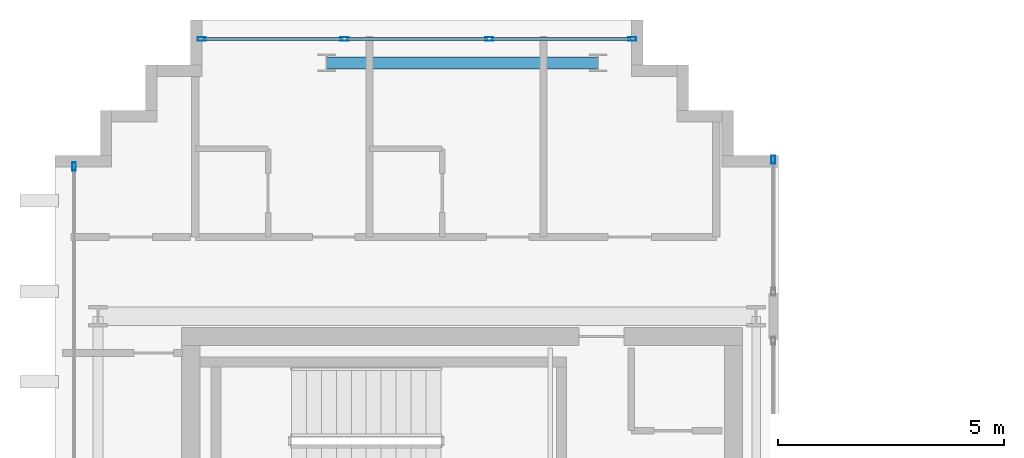
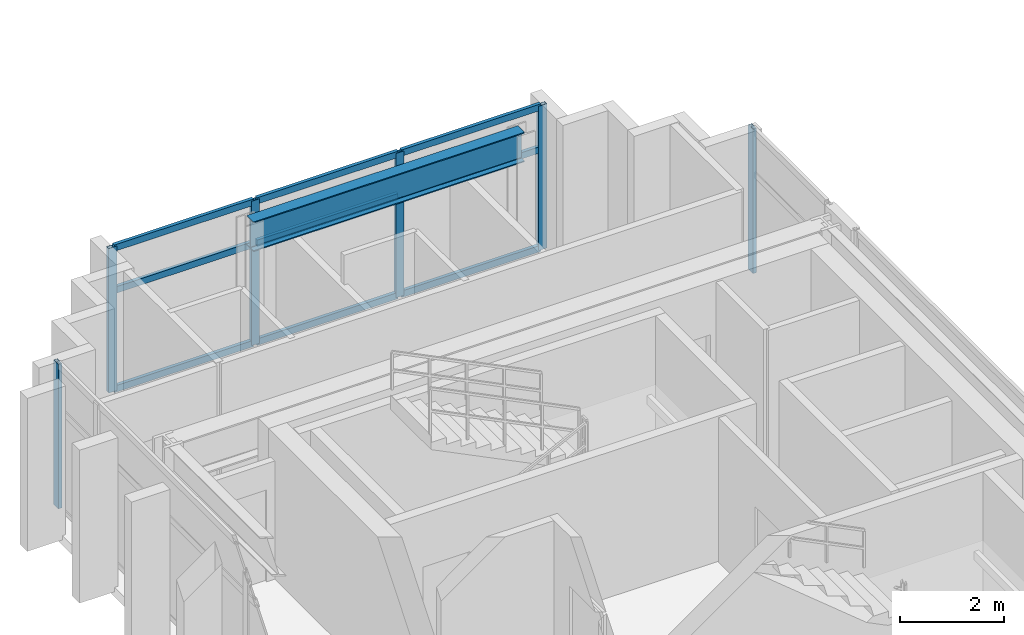
# One storey, part 16 of 25: 15 members, 1 beam, 3 elements without a shape of their own.
"""IFC4 building model written with IfcOpenShell, lengths in metres."""

from ifc_helpers import new_model, si_unit, direction, frame, origin, origin_2d, place, context, subcontext, project, spatial, hollow_rectangle, i_section, extrude, source, transform, mapped, material, layer, layer_set, material_profile, profile_set, type_object, element, aggregate, save


model = new_model("IFC4")

# Units and contexts
model_context = context("Model", 3, precision=1e-05, world=origin(), true_north=direction((0.0, 1.0)))
body_context = subcontext(model_context, "Body", "Model", "MODEL_VIEW")
ifc_project = project(units=[si_unit("LENGTHUNIT", "METRE"), si_unit("AREAUNIT", "SQUARE_METRE"), si_unit("VOLUMEUNIT", "CUBIC_METRE"), si_unit("PLANEANGLEUNIT", "RADIAN"), si_unit("MASSUNIT", "GRAM", prefix="KILO")], contexts=[model_context])

# Site, building, storey
site_placement = place(None, origin())
site = spatial("IfcSite", under=ifc_project, at=site_placement, CompositionType="ELEMENT")
building_placement = place(site_placement, origin())
building = spatial("IfcBuilding", under=site, at=building_placement, Name="Ocotamira Hotel", CompositionType="ELEMENT")
storey_placement = place(building_placement, frame((0.0, 0.0, 265.199951171875)))
storey = spatial("IfcBuildingStorey", under=building, at=storey_placement, Name="L67", CompositionType="ELEMENT", Elevation=265.199951171875)

# Beam
ifc_material_1 = material(Name="Steel ASTM A992 Grade 50", Category="steel")
ifc_material_profile_1 = material_profile(ifc_material_1, i_section(OverallWidth=0.256103515625, OverallDepth=0.693115234375, WebThickness=0.014404296875, FlangeThickness=0.023681640625, FilletRadius=0.01611328125, at=origin_2d()), Name="W27X114")
ifc_profile_set_1 = profile_set([ifc_material_profile_1], Name="Steel ASTM A992 Grade 50")
beam_type = type_object("IfcBeamType", Name="BM-PRIM-W27X114", PredefinedType="BEAM", material=ifc_profile_set_1)
shared_shape_1 = source(origin(), body_context, "Body", "SweptSolid", [
    extrude(i_section(OverallWidth=0.256103515625, OverallDepth=0.693115234375, WebThickness=0.014404296875, FlangeThickness=0.023681640625, FilletRadius=0.01611328125, at=origin_2d()), origin(), (0.0, 0.0, 1.0), 6.0),
])
beam_placement = place(storey_placement, frame((14.0, 43.050048828125, 3.033447265625), z_axis=(1.0, 0.0, 0.0), x_axis=(0.0, 1.0, 0.0)))
element("IfcBeam", 1, at=beam_placement, inside=storey, type_object=beam_type, Name="L67 Girder Y43.05 X14-20", PredefinedType="BEAM", context=body_context, shape_type="MappedRepresentation", body=[
    mapped(shared_shape_1, transform((0.0, 0.0, 0.0), scale=1.0)),
])

# Curtain wall, members
ifc_material_2 = material(Name="Anodised pale-metal aluminium and solar glass", Category="aluminium")
ifc_layer = layer(ifc_material_2, 0.2099609375)
ifc_layer_set = layer_set([ifc_layer], Name="Anodised pale-metal aluminium and solar glass")
curtain_wall_type = type_object("IfcCurtainWallType", Name="CW-SYS7-PEAK", PredefinedType="NOTDEFINED", material=ifc_layer_set)
curtain_wall_1_placement = place(storey_placement, origin())
curtain_wall_1 = element("IfcCurtainWall", 2, at=curtain_wall_1_placement, inside=storey, type_object=curtain_wall_type, Name="L67 Curtain Wall CW-7 CW-L67-WN", PredefinedType="NOTDEFINED")
ifc_material_3 = material(Name="Anodised pale-metal aluminium 6063-T6", Category="aluminium")
ifc_material_profile_2 = material_profile(ifc_material_3, hollow_rectangle(XDim=0.080078125, YDim=0.179931640625, WallThickness=0.006103515625, at=origin_2d()), Name="HSS180X80X6")
ifc_profile_set_2 = profile_set([ifc_material_profile_2], Name="Anodised pale-metal aluminium 6063-T6")
member_type_1 = type_object("IfcMemberType", Name="CWM-180X75", PredefinedType="MULLION", material=ifc_profile_set_2)
shared_shape_2 = source(origin(), body_context, "Body", "SweptSolid", [
    extrude(hollow_rectangle(XDim=0.080078125, YDim=0.179931640625, WallThickness=0.006103515625, at=origin_2d()), origin(), (0.0, 0.0, 1.0), 3.380126953125),
])
member_1_placement = place(storey_placement, frame((11.239990234375, 43.580078125, 0.0), z_axis=(0.0, 0.0, 1.0), x_axis=(0.0, 1.0, 0.0)))
member_1 = element("IfcMember", 3, at=member_1_placement, type_object=member_type_1, Name="CW-7 mullion 1", PredefinedType="MULLION", context=body_context, shape_type="MappedRepresentation", body=[
    mapped(shared_shape_2, transform((0.0, 0.0, 0.0), scale=1.0)),
])
member_2_placement = place(storey_placement, frame((14.39990234375, 43.580078125, 0.0), z_axis=(0.0, 0.0, 1.0), x_axis=(0.0, 1.0, 0.0)))
member_2 = element("IfcMember", 4, at=member_2_placement, type_object=member_type_1, Name="CW-7 mullion 2", PredefinedType="MULLION", context=body_context, shape_type="MappedRepresentation", body=[
    mapped(shared_shape_2, transform((0.0, 0.0, 0.0), scale=1.0)),
])
member_3_placement = place(storey_placement, frame((17.60009765625, 43.580078125, 0.0), z_axis=(0.0, 0.0, 1.0), x_axis=(0.0, 1.0, 0.0)))
member_3 = element("IfcMember", 5, at=member_3_placement, type_object=member_type_1, Name="CW-7 mullion 3", PredefinedType="MULLION", context=body_context, shape_type="MappedRepresentation", body=[
    mapped(shared_shape_2, transform((0.0, 0.0, 0.0), scale=1.0)),
])
member_4_placement = place(storey_placement, frame((20.760009765625, 43.580078125, 0.0), z_axis=(0.0, 0.0, 1.0), x_axis=(0.0, 1.0, 0.0)))
member_4 = element("IfcMember", 6, at=member_4_placement, type_object=member_type_1, Name="CW-7 mullion 4", PredefinedType="MULLION", context=body_context, shape_type="MappedRepresentation", body=[
    mapped(shared_shape_2, transform((0.0, 0.0, 0.0), scale=1.0)),
])

# Curtain wall, member
curtain_wall_2_placement = place(storey_placement, origin())
curtain_wall_2 = element("IfcCurtainWall", 7, at=curtain_wall_2_placement, inside=storey, type_object=curtain_wall_type, Name="L67 Curtain Wall CW-7 CW-L67-WO2", PredefinedType="NOTDEFINED")
member_5_placement = place(storey_placement, frame((8.419921875, 40.760009765625, 0.0), z_axis=(0.0, 0.0, 1.0), x_axis=(-1.0, 0.0, 0.0)))
member_5 = element("IfcMember", 8, at=member_5_placement, type_object=member_type_1, Name="CW-7 mullion 3", PredefinedType="MULLION", context=body_context, shape_type="MappedRepresentation", body=[
    mapped(shared_shape_2, transform((0.0, 0.0, 0.0), scale=1.0)),
])
aggregate(curtain_wall_2, [member_5])

curtain_wall_3_placement = place(storey_placement, origin())
curtain_wall_3 = element("IfcCurtainWall", 9, at=curtain_wall_3_placement, inside=storey, type_object=curtain_wall_type, Name="L67 Curtain Wall CW-7 CW-L67-WI4", PredefinedType="NOTDEFINED")
member_6_placement = place(storey_placement, frame((23.8798828125, 40.909912109375, 0.0), z_axis=(0.0, 0.0, 1.0), x_axis=(-1.0, 0.0, 0.0)))
member_6 = element("IfcMember", 10, at=member_6_placement, type_object=member_type_1, Name="CW-7 mullion 2", PredefinedType="MULLION", context=body_context, shape_type="MappedRepresentation", body=[
    mapped(shared_shape_2, transform((0.0, 0.0, 0.0), scale=1.0)),
])
aggregate(curtain_wall_3, [member_6])

# Member
ifc_material_profile_3 = material_profile(ifc_material_3, hollow_rectangle(XDim=0.074951171875, YDim=0.14990234375, WallThickness=0.006103515625, at=origin_2d()), Name="HSS150X75X6")
ifc_profile_set_3 = profile_set([ifc_material_profile_3], Name="Anodised pale-metal aluminium 6063-T6")
member_type_2 = type_object("IfcMemberType", Name="CWT-150X75", PredefinedType="USERDEFINED", material=ifc_profile_set_3)
shared_shape_3 = source(origin(), body_context, "Body", "SweptSolid", [
    extrude(hollow_rectangle(XDim=0.074951171875, YDim=0.14990234375, WallThickness=0.006103515625, at=origin_2d()), origin(), (0.0, 0.0, 1.0), 3.080078125),
])
member_7_placement = place(storey_placement, frame((11.280029296875, 43.580078125, 0.03759765625), z_axis=(1.0, 0.0, 0.0), x_axis=(0.0, 1.0, 0.0)))
member_7 = element("IfcMember", 11, at=member_7_placement, type_object=member_type_2, Name="CW-7 transom 1.1", ObjectType="TRANSOM", PredefinedType="USERDEFINED", context=body_context, shape_type="MappedRepresentation", body=[
    mapped(shared_shape_3, transform((0.0, 0.0, 0.0), scale=1.0)),
])

member_8_placement = place(storey_placement, frame((11.280029296875, 43.580078125, 2.35009765625), z_axis=(1.0, 0.0, 0.0), x_axis=(0.0, 1.0, 0.0)))
member_8 = element("IfcMember", 12, at=member_8_placement, type_object=member_type_2, Name="CW-7 transom 1.2", ObjectType="TRANSOM", PredefinedType="USERDEFINED", context=body_context, shape_type="MappedRepresentation", body=[
    mapped(shared_shape_3, transform((0.0, 0.0, 0.0), scale=1.0)),
])

member_9_placement = place(storey_placement, frame((11.280029296875, 43.580078125, 3.342529296875), z_axis=(1.0, 0.0, 0.0), x_axis=(0.0, 1.0, 0.0)))
member_9 = element("IfcMember", 13, at=member_9_placement, type_object=member_type_2, Name="CW-7 transom 1.3", ObjectType="TRANSOM", PredefinedType="USERDEFINED", context=body_context, shape_type="MappedRepresentation", body=[
    mapped(shared_shape_3, transform((0.0, 0.0, 0.0), scale=1.0)),
])

member_10_placement = place(storey_placement, frame((17.639892578125, 43.580078125, 0.03759765625), z_axis=(1.0, 0.0, 0.0), x_axis=(0.0, 1.0, 0.0)))
member_10 = element("IfcMember", 14, at=member_10_placement, type_object=member_type_2, Name="CW-7 transom 3.1", ObjectType="TRANSOM", PredefinedType="USERDEFINED", context=body_context, shape_type="MappedRepresentation", body=[
    mapped(shared_shape_3, transform((0.0, 0.0, 0.0), scale=1.0)),
])

member_11_placement = place(storey_placement, frame((17.639892578125, 43.580078125, 2.35009765625), z_axis=(1.0, 0.0, 0.0), x_axis=(0.0, 1.0, 0.0)))
member_11 = element("IfcMember", 15, at=member_11_placement, type_object=member_type_2, Name="CW-7 transom 3.2", ObjectType="TRANSOM", PredefinedType="USERDEFINED", context=body_context, shape_type="MappedRepresentation", body=[
    mapped(shared_shape_3, transform((0.0, 0.0, 0.0), scale=1.0)),
])

member_12_placement = place(storey_placement, frame((17.639892578125, 43.580078125, 3.342529296875), z_axis=(1.0, 0.0, 0.0), x_axis=(0.0, 1.0, 0.0)))
member_12 = element("IfcMember", 16, at=member_12_placement, type_object=member_type_2, Name="CW-7 transom 3.3", ObjectType="TRANSOM", PredefinedType="USERDEFINED", context=body_context, shape_type="MappedRepresentation", body=[
    mapped(shared_shape_3, transform((0.0, 0.0, 0.0), scale=1.0)),
])

shared_shape_4 = source(origin(), body_context, "Body", "SweptSolid", [
    extrude(hollow_rectangle(XDim=0.074951171875, YDim=0.14990234375, WallThickness=0.006103515625, at=origin_2d()), origin(), (0.0, 0.0, 1.0), 3.1201171875),
])
member_13_placement = place(storey_placement, frame((14.43994140625, 43.580078125, 0.03759765625), z_axis=(1.0, 0.0, 0.0), x_axis=(0.0, 1.0, 0.0)))
member_13 = element("IfcMember", 17, at=member_13_placement, type_object=member_type_2, Name="CW-7 transom 2.1", ObjectType="TRANSOM", PredefinedType="USERDEFINED", context=body_context, shape_type="MappedRepresentation", body=[
    mapped(shared_shape_4, transform((0.0, 0.0, 0.0), scale=1.0)),
])

member_14_placement = place(storey_placement, frame((14.43994140625, 43.580078125, 2.35009765625), z_axis=(1.0, 0.0, 0.0), x_axis=(0.0, 1.0, 0.0)))
member_14 = element("IfcMember", 18, at=member_14_placement, type_object=member_type_2, Name="CW-7 transom 2.2", ObjectType="TRANSOM", PredefinedType="USERDEFINED", context=body_context, shape_type="MappedRepresentation", body=[
    mapped(shared_shape_4, transform((0.0, 0.0, 0.0), scale=1.0)),
])

member_15_placement = place(storey_placement, frame((14.43994140625, 43.580078125, 3.342529296875), z_axis=(1.0, 0.0, 0.0), x_axis=(0.0, 1.0, 0.0)))
member_15 = element("IfcMember", 19, at=member_15_placement, type_object=member_type_2, Name="CW-7 transom 2.3", ObjectType="TRANSOM", PredefinedType="USERDEFINED", context=body_context, shape_type="MappedRepresentation", body=[
    mapped(shared_shape_4, transform((0.0, 0.0, 0.0), scale=1.0)),
])

aggregate(curtain_wall_1, [member_1, member_2, member_3, member_4, member_7, member_8, member_9, member_13, member_14, member_15, member_10, member_11, member_12])

save(model, "model.ifc")
